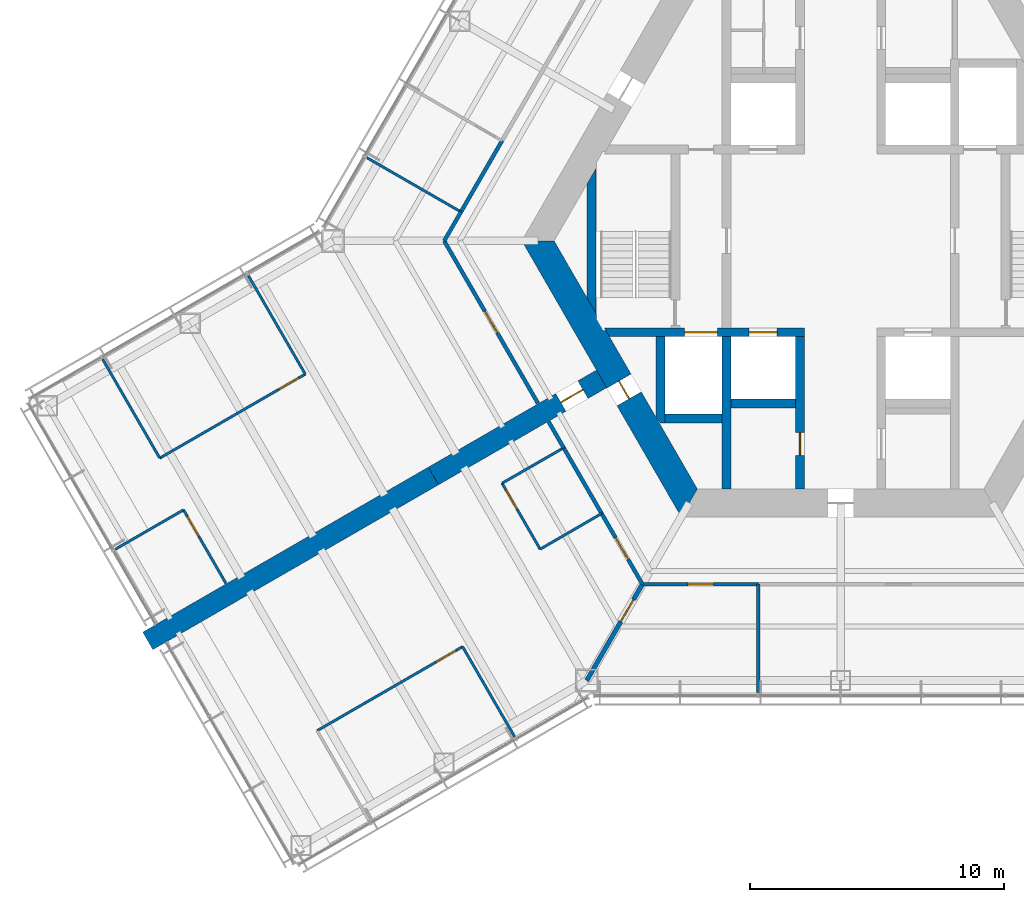
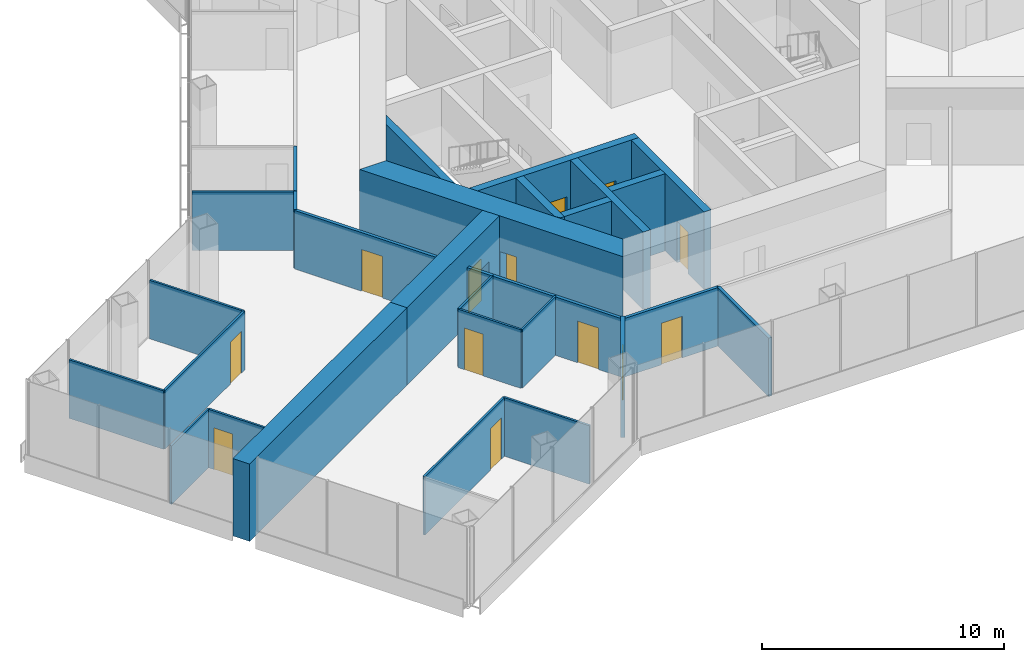
# One storey, part 12 of 18: 30 walls, 13 doors, 13 openings.
"""IFC4 building model written with IfcOpenShell, lengths in metres."""

from ifc_helpers import new_model, si_unit, direction, frame, frame_2d, origin, place, context, subcontext, project, spatial, polyline, rectangle, outline, extrude, material, layer, layer_set, type_object, element, fill, save


model = new_model("IFC4")

# Units and contexts
model_context = context("Model", 3, precision=1e-05, world=origin(), true_north=direction((0.0, 1.0)))
body_context = subcontext(model_context, "Body", "Model", "MODEL_VIEW")
ifc_project = project(units=[si_unit("LENGTHUNIT", "METRE"), si_unit("AREAUNIT", "SQUARE_METRE"), si_unit("VOLUMEUNIT", "CUBIC_METRE"), si_unit("PLANEANGLEUNIT", "RADIAN"), si_unit("MASSUNIT", "GRAM", prefix="KILO")], contexts=[model_context])

# Site, building, storey
site_placement = place(None, origin())
site = spatial("IfcSite", under=ifc_project, at=site_placement, CompositionType="ELEMENT")
building_placement = place(site_placement, origin())
building = spatial("IfcBuilding", under=site, at=building_placement, Name="Kasaneha Research Tower", CompositionType="ELEMENT")
storey_placement = place(building_placement, frame((0.0, 0.0, 76.800048828125)))
storey = spatial("IfcBuildingStorey", under=building, at=storey_placement, Name="L19", CompositionType="ELEMENT", Elevation=76.800048828125)

# Wall, openings, doors
ifc_material_1 = material(Name="Concrete Fc80", Category="concrete")
ifc_layer_1 = layer(ifc_material_1, 0.35009765625)
ifc_layer_set_1 = layer_set([ifc_layer_1], Name="Core internal wall 350 Fc80")
wall_type_1 = type_object("IfcWallType", Name="Core internal wall 350 Fc80", PredefinedType="SHEAR", material=ifc_layer_set_1)
wall_1_placement = place(storey_placement, frame((-9.208740234375, -3.60009765625, 0.0), z_axis=(0.0, 0.0, 1.0), x_axis=(1.0, 0.0, 0.0)))
wall_1 = element("IfcWall", 1, at=wall_1_placement, inside=storey, type_object=wall_type_1, Name="Core wall W2W L19", PredefinedType="SHEAR", context=body_context, shape_type="SweptSolid", body=[
    extrude(outline(polyline([(0.10107421875, -0.175048828125), (3.058837890625, -0.175048828125), (4.35888671875, -0.175048828125), (5.608642578125, -0.175048828125), (6.708740234375, -0.175048828125), (7.78369140625, -0.175048828125), (7.78369140625, 0.175048828125), (6.708740234375, 0.175048828125), (5.608642578125, 0.175048828125), (4.35888671875, 0.175048828125), (3.058837890625, 0.175048828125), (-0.10107421875, 0.175048828125), (0.10107421875, -0.175048828125)])), origin(), (0.0, 0.0, 1.0), 3.89990234375),
])
opening_1_placement = place(wall_1_placement, frame((5.608642578125, 0.0, 0.0)))
opening_1 = element("IfcOpeningElement", 2, at=opening_1_placement, cuts=wall_1, Name="Opening LD-LO2-L19", PredefinedType="OPENING", context=body_context, shape_type="SweptSolid", body=[
    extrude(rectangle(XDim=1.10009765625, YDim=2.10009765625, at=frame_2d((0.550048828125, 1.050048828125))), frame((0.0, 0.18505859375, 0.0), z_axis=(0.0, -1.0, 0.0), x_axis=(1.0, 0.0, 0.0)), (0.0, 0.0, 1.0), 0.3701171875),
])
opening_2_placement = place(wall_1_placement, frame((3.058837890625, 0.0, 0.0)))
opening_2 = element("IfcOpeningElement", 3, at=opening_2_placement, cuts=wall_1, Name="Opening LD-FL2-L19", PredefinedType="OPENING", context=body_context, shape_type="SweptSolid", body=[
    extrude(rectangle(XDim=1.300048828125, YDim=2.10009765625, at=frame_2d((0.64990234375, 1.050048828125))), frame((0.0, 0.18505859375, 0.0), z_axis=(0.0, -1.0, 0.0), x_axis=(1.0, 0.0, 0.0)), (0.0, 0.0, 1.0), 0.3701171875),
])
ifc_material_2 = material(Name="Steel", Category="steel")
door_type_1 = type_object("IfcDoorType", Name="Lift landing door 1100x2100", OperationType="DOUBLE_DOOR_SLIDING", PredefinedType="DOOR", material=ifc_material_2)
door_1_placement = place(opening_1_placement, origin())
door_1 = element("IfcDoor", 4, at=door_1_placement, inside=storey, type_object=door_type_1, Name="Landing door LO2 LD-LO2-L19", OperationType="DOUBLE_DOOR_SLIDING", OverallHeight=2.10009765625, OverallWidth=1.10009765625, PredefinedType="DOOR", context=body_context, shape_type="SweptSolid", body=[
    extrude(rectangle(XDim=1.10009765625, YDim=2.10009765625, at=frame_2d((0.550048828125, 1.050048828125))), frame((0.0, 0.02490234375, 0.0), z_axis=(0.0, -1.0, 0.0), x_axis=(1.0, 0.0, 0.0)), (0.0, 0.0, 1.0), 0.050048828125),
])
fill(opening_1, door_1)
ifc_material_3 = material(Name="Steel", Category="steel")
door_type_2 = type_object("IfcDoorType", Name="Lift landing door 1300x2100", OperationType="DOUBLE_DOOR_SLIDING", PredefinedType="DOOR", material=ifc_material_3)
door_2_placement = place(opening_2_placement, origin())
door_2 = element("IfcDoor", 5, at=door_2_placement, inside=storey, type_object=door_type_2, Name="Landing door FL2 LD-FL2-L19", OperationType="DOUBLE_DOOR_SLIDING", OverallHeight=2.10009765625, OverallWidth=1.300048828125, PredefinedType="DOOR", context=body_context, shape_type="SweptSolid", body=[
    extrude(rectangle(XDim=1.300048828125, YDim=2.10009765625, at=frame_2d((0.64990234375, 1.050048828125))), frame((0.0, 0.02490234375, 0.0), z_axis=(0.0, -1.0, 0.0), x_axis=(1.0, 0.0, 0.0)), (0.0, 0.0, 1.0), 0.050048828125),
])
fill(opening_2, door_2)

# Wall, opening, door
wall_2_placement = place(storey_placement, frame((-1.60009765625, -3.77490234375, 0.0), z_axis=(0.0, 0.0, 1.0), x_axis=(0.0, -1.0, 0.0)))
wall_2 = element("IfcWall", 6, at=wall_2_placement, inside=storey, type_object=wall_type_1, Name="Core wall CSW L19", PredefinedType="SHEAR", context=body_context, shape_type="SweptSolid", body=[
    extrude(rectangle(XDim=6.0, YDim=0.35009765625, at=frame_2d((3.0, 0.0))), origin(), (0.0, 0.0, 1.0), 3.89990234375),
])
opening_3_placement = place(wall_2_placement, frame((3.77490234375, 0.0, 0.0)))
opening_3 = element("IfcOpeningElement", 7, at=opening_3_placement, cuts=wall_2, Name="Opening L19-D16", PredefinedType="OPENING", context=body_context, shape_type="SweptSolid", body=[
    extrude(rectangle(XDim=0.89990234375, YDim=2.10009765625, at=frame_2d((0.449951171875, 1.050048828125))), frame((0.0, 0.18505859375, 0.0), z_axis=(0.0, -1.0, 0.0), x_axis=(1.0, 0.0, 0.0)), (0.0, 0.0, 1.0), 0.3701171875),
])
ifc_material_4 = material(Name="Steel", Category="steel")
door_type_3 = type_object("IfcDoorType", Name="Riser access door FD60 900x2100", OperationType="NOTDEFINED", PredefinedType="DOOR", material=ifc_material_4)
door_3_placement = place(opening_3_placement, origin())
door_3 = element("IfcDoor", 8, at=door_3_placement, inside=storey, type_object=door_type_3, Name="Electrical riser door L19-D16", OperationType="SINGLE_SWING_LEFT", OverallHeight=2.10009765625, OverallWidth=0.89990234375, PredefinedType="DOOR", context=body_context, shape_type="SweptSolid", body=[
    extrude(rectangle(XDim=0.89990234375, YDim=2.10009765625, at=frame_2d((0.449951171875, 1.050048828125))), frame((0.0, 0.02490234375, 0.0), z_axis=(0.0, -1.0, 0.0), x_axis=(1.0, 0.0, 0.0)), (0.0, 0.0, 1.0), 0.050048828125),
])
fill(opening_3, door_3)

# Walls
wall_3_placement = place(storey_placement, frame((-4.5, -3.77490234375, 0.0), z_axis=(0.0, 0.0, 1.0), x_axis=(0.0, -1.0, 0.0)))
element("IfcWall", 9, at=wall_3_placement, inside=storey, type_object=wall_type_1, Name="Core wall SSW L19", PredefinedType="SHEAR", context=body_context, shape_type="SweptSolid", body=[
    extrude(rectangle(XDim=6.0, YDim=0.35009765625, at=frame_2d((3.0, 0.0))), origin(), (0.0, 0.0, 1.0), 3.89990234375),
])
wall_4_placement = place(storey_placement, frame((-4.324951171875, -6.39990234375, 0.0), z_axis=(0.0, 0.0, 1.0), x_axis=(1.0, 0.0, 0.0)))
element("IfcWall", 10, at=wall_4_placement, inside=storey, type_object=wall_type_1, Name="Core wall S1S L19", PredefinedType="SHEAR", context=body_context, shape_type="SweptSolid", body=[
    extrude(rectangle(XDim=2.550048828125, YDim=0.35009765625, at=frame_2d((1.27490234375, 0.0))), origin(), (0.0, 0.0, 1.0), 3.89990234375),
])
wall_5_placement = place(storey_placement, frame((-6.925048828125, -7.0, 0.0), z_axis=(0.0, 0.0, 1.0), x_axis=(1.0, 0.0, 0.0)))
element("IfcWall", 11, at=wall_5_placement, inside=storey, type_object=wall_type_1, Name="Core wall F2S L19", PredefinedType="SHEAR", context=body_context, shape_type="SweptSolid", body=[
    extrude(rectangle(XDim=2.25, YDim=0.35009765625, at=frame_2d((1.125, 0.0))), origin(), (0.0, 0.0, 1.0), 3.89990234375),
])
wall_6_placement = place(storey_placement, frame((-7.10009765625, -3.77490234375, 0.0), z_axis=(0.0, 0.0, 1.0), x_axis=(0.0, -1.0, 0.0)))
element("IfcWall", 12, at=wall_6_placement, inside=storey, type_object=wall_type_1, Name="Core wall F2W L19", PredefinedType="SHEAR", context=body_context, shape_type="SweptSolid", body=[
    extrude(outline(polyline([(0.0, -0.175048828125), (3.174560546875, -0.175048828125), (3.400146484375, 0.0), (3.400146484375, 0.175048828125), (0.0, 0.175048828125), (0.0, -0.175048828125)])), origin(), (0.0, 0.0, 1.0), 3.89990234375),
])
wall_7_placement = place(storey_placement, frame((-9.807861328125, -2.562255859375, 0.0), z_axis=(0.0, 0.0, 1.0), x_axis=(0.0, 1.0, 0.0)))
element("IfcWall", 13, at=wall_7_placement, inside=storey, type_object=wall_type_1, Name="Core wall STW L19", PredefinedType="SHEAR", context=body_context, shape_type="SweptSolid", body=[
    extrude(outline(polyline([(-0.30322265625, -0.175048828125), (5.427734375, -0.175048828125), (4.8212890625, 0.175048828125), (0.30322265625, 0.175048828125), (-0.30322265625, -0.175048828125)])), origin(), (0.0, 0.0, 1.0), 3.89990234375),
])

# Wall, opening, door
ifc_material_5 = material(Name="Concrete Fc80", Category="concrete")
ifc_layer_2 = layer(ifc_material_5, 1.10009765625)
ifc_layer_set_2 = layer_set([ifc_layer_2], Name="Core wall 1100 Fc80")
wall_type_2 = type_object("IfcWallType", Name="Core wall 1100 Fc80", PredefinedType="SHEAR", material=ifc_layer_set_2)
wall_8_placement = place(storey_placement, frame((-11.92236328125, 0.0, 0.0), z_axis=(0.0, 0.0, 1.0), x_axis=(0.500004296715, -0.866022923061, 0.0)))
wall_8 = element("IfcWall", 14, at=wall_8_placement, inside=storey, type_object=wall_type_2, Name="Core wall 210 L19", PredefinedType="SHEAR", context=body_context, shape_type="SweptSolid", body=[
    extrude(outline(polyline([(-0.317626953125, -0.550048828125), (6.381103515625, -0.550048828125), (7.18115234375, -0.550048828125), (12.239990234375, -0.550048828125), (11.604736328125, 0.550048828125), (7.18115234375, 0.550048828125), (6.381103515625, 0.550048828125), (0.317626953125, 0.550048828125), (-0.317626953125, -0.550048828125)])), origin(), (0.0, 0.0, 1.0), 3.89990234375),
])
opening_4_placement = place(wall_8_placement, frame((6.381103515625, 0.0, 0.0)))
opening_4 = element("IfcOpeningElement", 15, at=opening_4_placement, cuts=wall_8, Name="Opening L19-D06", PredefinedType="OPENING", context=body_context, shape_type="SweptSolid", body=[
    extrude(rectangle(XDim=0.800048828125, YDim=2.10009765625, at=frame_2d((0.39990234375, 1.050048828125))), frame((0.0, 0.56005859375, 0.0), z_axis=(0.0, -1.0, 0.0), x_axis=(1.0, 0.0, 0.0)), (0.0, 0.0, 1.0), 1.1201171875),
])
ifc_material_6 = material(Name="Steel", Category="steel")
door_type_4 = type_object("IfcDoorType", Name="Riser access door FD60 800x2100", OperationType="NOTDEFINED", PredefinedType="DOOR", material=ifc_material_6)
door_4_placement = place(opening_4_placement, origin())
door_4 = element("IfcDoor", 16, at=door_4_placement, inside=storey, type_object=door_type_4, Name="Duct riser door L19-D06", OperationType="SINGLE_SWING_RIGHT", OverallHeight=2.10009765625, OverallWidth=0.800048828125, PredefinedType="DOOR", context=body_context, shape_type="SweptSolid", body=[
    extrude(rectangle(XDim=0.800048828125, YDim=2.10009765625, at=frame_2d((0.39990234375, 1.050048828125))), frame((0.0, 0.02490234375, 0.0), z_axis=(0.0, -1.0, 0.0), x_axis=(1.0, 0.0, 0.0)), (0.0, 0.0, 1.0), 0.050048828125),
])
fill(opening_4, door_4)

# Walls
ifc_material_7 = material(Name="Gypsum board on steel studs, one layer each side", Category="steel")
ifc_layer_3 = layer(ifc_material_7, 0.10009765625)
ifc_layer_set_3 = layer_set([ifc_layer_3], Name="Office partition 100")
wall_type_3 = type_object("IfcWallType", Name="Office partition 100", PredefinedType="PARTITIONING", material=ifc_layer_set_3)
wall_9_placement = place(storey_placement, frame((-14.957275390625, 1.143310546875, 0.0), z_axis=(0.0, 0.0, 1.0), x_axis=(-0.86652666665, 0.499130780441, 0.0)))
element("IfcWall", 17, at=wall_9_placement, inside=storey, type_object=wall_type_3, Name="Office partition FBN06 L19", PredefinedType="PARTITIONING", context=body_context, shape_type="SweptSolid", body=[
    extrude(rectangle(XDim=4.275390625, YDim=0.10009765625, at=frame_2d((2.1376953125, 0.0))), origin(), (0.0, 0.0, 1.0), 2.949951171875),
])
wall_10_placement = place(storey_placement, frame((-26.824951171875, -8.55908203125, 0.0), z_axis=(0.0, 0.0, 1.0), x_axis=(-0.500013631625, 0.866017533419, 0.0)))
element("IfcWall", 18, at=wall_10_placement, inside=storey, type_object=wall_type_3, Name="Office partition FBN08 L19", PredefinedType="PARTITIONING", context=body_context, shape_type="SweptSolid", body=[
    extrude(rectangle(XDim=4.499755859375, YDim=0.10009765625, at=frame_2d((2.25, 0.0))), origin(), (0.0, 0.0, 1.0), 2.949951171875),
])
wall_11_placement = place(storey_placement, frame((-23.332275390625, -1.36962890625, 0.0), z_axis=(0.0, 0.0, 1.0), x_axis=(0.499989762656, -0.866031314237, 0.0)))
element("IfcWall", 19, at=wall_11_placement, inside=storey, type_object=wall_type_3, Name="Office partition FBN09 L19", PredefinedType="PARTITIONING", context=body_context, shape_type="SweptSolid", body=[
    extrude(rectangle(XDim=4.47998046875, YDim=0.10009765625, at=frame_2d((2.239990234375, 0.0))), origin(), (0.0, 0.0, 1.0), 2.949951171875),
])

# Wall, opening, door
wall_12_placement = place(storey_placement, frame((-21.09228515625, -5.24951171875, 0.0), z_axis=(0.0, 0.0, 1.0), x_axis=(-0.866037567856, -0.499978930619, 0.0)))
wall_12 = element("IfcWall", 20, at=wall_12_placement, inside=storey, type_object=wall_type_3, Name="Office partition FBN10 L19", PredefinedType="PARTITIONING", context=body_context, shape_type="SweptSolid", body=[
    extrude(rectangle(XDim=6.619384765625, YDim=0.10009765625, at=frame_2d((3.3095703125, 0.0))), origin(), (0.0, 0.0, 1.0), 2.949951171875),
])
opening_5_placement = place(wall_12_placement, frame((0.300048828125, 0.0, 0.0)))
opening_5 = element("IfcOpeningElement", 21, at=opening_5_placement, cuts=wall_12, Name="Opening L19-D38", PredefinedType="OPENING", context=body_context, shape_type="SweptSolid", body=[
    extrude(rectangle(XDim=0.89990234375, YDim=2.10009765625, at=frame_2d((0.449951171875, 1.050048828125))), frame((0.0, 0.06005859375, 0.0), z_axis=(0.0, -1.0, 0.0), x_axis=(1.0, 0.0, 0.0)), (0.0, 0.0, 1.0), 0.1201171875),
])
ifc_material_8 = material(Name="Timber veneer", Category="wood")
door_type_5 = type_object("IfcDoorType", Name="Office door 900x2100", OperationType="SINGLE_SWING_LEFT", PredefinedType="DOOR", material=ifc_material_8)
door_5_placement = place(opening_5_placement, origin())
door_5 = element("IfcDoor", 22, at=door_5_placement, inside=storey, type_object=door_type_5, Name="Meeting room door L19-D38", OperationType="SINGLE_SWING_LEFT", OverallHeight=2.10009765625, OverallWidth=0.89990234375, PredefinedType="DOOR", context=body_context, shape_type="SweptSolid", body=[
    extrude(rectangle(XDim=0.89990234375, YDim=2.10009765625, at=frame_2d((0.449951171875, 1.050048828125))), frame((0.0, 0.02490234375, 0.0), z_axis=(0.0, -1.0, 0.0), x_axis=(1.0, 0.0, 0.0)), (0.0, 0.0, 1.0), 0.050048828125),
])
fill(opening_5, door_5)

# Wall
wall_13_placement = place(storey_placement, frame((-28.57470703125, -12.148193359375, 0.0), z_axis=(0.0, 0.0, 1.0), x_axis=(0.86602952684, 0.49999285859, 0.0)))
element("IfcWall", 23, at=wall_13_placement, inside=storey, type_object=wall_type_3, Name="Office partition FBN12 L19", PredefinedType="PARTITIONING", context=body_context, shape_type="SweptSolid", body=[
    extrude(rectangle(XDim=3.10009765625, YDim=0.10009765625, at=frame_2d((1.550048828125, 0.0))), origin(), (0.0, 0.0, 1.0), 2.949951171875),
])

# Wall, opening, door
wall_14_placement = place(storey_placement, frame((-25.889892578125, -10.59814453125, 0.0), z_axis=(0.0, 0.0, 1.0), x_axis=(0.499928740635, -0.866066541489, 0.0)))
wall_14 = element("IfcWall", 24, at=wall_14_placement, inside=storey, type_object=wall_type_3, Name="Office partition FBN13 L19", PredefinedType="PARTITIONING", context=body_context, shape_type="SweptSolid", body=[
    extrude(rectangle(XDim=3.3466796875, YDim=0.10009765625, at=frame_2d((1.67333984375, 0.0))), origin(), (0.0, 0.0, 1.0), 2.949951171875),
])
opening_6_placement = place(wall_14_placement, frame((0.300048828125, 0.0, 0.0)))
opening_6 = element("IfcOpeningElement", 25, at=opening_6_placement, cuts=wall_14, Name="Opening L19-D40", PredefinedType="OPENING", context=body_context, shape_type="SweptSolid", body=[
    extrude(rectangle(XDim=0.89990234375, YDim=2.10009765625, at=frame_2d((0.449951171875, 1.050048828125))), frame((0.0, 0.06005859375, 0.0), z_axis=(0.0, -1.0, 0.0), x_axis=(1.0, 0.0, 0.0)), (0.0, 0.0, 1.0), 0.1201171875),
])
door_6_placement = place(opening_6_placement, origin())
door_6 = element("IfcDoor", 26, at=door_6_placement, inside=storey, type_object=door_type_5, Name="Phone room door L19-D40", OperationType="SINGLE_SWING_LEFT", OverallHeight=2.10009765625, OverallWidth=0.89990234375, PredefinedType="DOOR", context=body_context, shape_type="SweptSolid", body=[
    extrude(rectangle(XDim=0.89990234375, YDim=2.10009765625, at=frame_2d((0.449951171875, 1.050048828125))), frame((0.0, 0.02490234375, 0.0), z_axis=(0.0, -1.0, 0.0), x_axis=(1.0, 0.0, 0.0)), (0.0, 0.0, 1.0), 0.050048828125),
])
fill(opening_6, door_6)

# Wall
wall_15_placement = place(storey_placement, frame((-13.337890625, -9.548095703125, 0.0), z_axis=(0.0, 0.0, 1.0), x_axis=(0.866833758708, 0.498597267105, 0.0)))
element("IfcWall", 27, at=wall_15_placement, inside=storey, type_object=wall_type_3, Name="Office partition FBS04 L19", PredefinedType="PARTITIONING", context=body_context, shape_type="SweptSolid", body=[
    extrude(rectangle(XDim=2.7998046875, YDim=0.10009765625, at=frame_2d((1.39990234375, 0.0))), origin(), (0.0, 0.0, 1.0), 2.949951171875),
])

# Wall, opening, door
wall_16_placement = place(storey_placement, frame((-11.837890625, -12.146240234375, 0.0), z_axis=(0.0, 0.0, 1.0), x_axis=(-0.499990139034, 0.866031096941, 0.0)))
wall_16 = element("IfcWall", 28, at=wall_16_placement, inside=storey, type_object=wall_type_3, Name="Office partition FBS05 L19", PredefinedType="PARTITIONING", context=body_context, shape_type="SweptSolid", body=[
    extrude(rectangle(XDim=3.0, YDim=0.10009765625, at=frame_2d((1.5, 0.0))), origin(), (0.0, 0.0, 1.0), 2.949951171875),
])
opening_7_placement = place(wall_16_placement, frame((1.800048828125, 0.0, 0.0)))
opening_7 = element("IfcOpeningElement", 29, at=opening_7_placement, cuts=wall_16, Name="Opening L19-D42", PredefinedType="OPENING", context=body_context, shape_type="SweptSolid", body=[
    extrude(rectangle(XDim=0.89990234375, YDim=2.10009765625, at=frame_2d((0.449951171875, 1.050048828125))), frame((0.0, 0.06005859375, 0.0), z_axis=(0.0, -1.0, 0.0), x_axis=(1.0, 0.0, 0.0)), (0.0, 0.0, 1.0), 0.1201171875),
])
door_7_placement = place(opening_7_placement, origin())
door_7 = element("IfcDoor", 30, at=door_7_placement, inside=storey, type_object=door_type_5, Name="Pantry door L19-D42", OperationType="SINGLE_SWING_RIGHT", OverallHeight=2.10009765625, OverallWidth=0.89990234375, PredefinedType="DOOR", context=body_context, shape_type="SweptSolid", body=[
    extrude(rectangle(XDim=0.89990234375, YDim=2.10009765625, at=frame_2d((0.449951171875, 1.050048828125))), frame((0.0, 0.02490234375, 0.0), z_axis=(0.0, -1.0, 0.0), x_axis=(1.0, 0.0, 0.0)), (0.0, 0.0, 1.0), 0.050048828125),
])
fill(opening_7, door_7)

# Wall
wall_17_placement = place(storey_placement, frame((-9.415283203125, -10.7421875, 0.0), z_axis=(0.0, 0.0, 1.0), x_axis=(-0.865195372903, -0.501434907746, 0.0)))
element("IfcWall", 31, at=wall_17_placement, inside=storey, type_object=wall_type_3, Name="Office partition FBS06 L19", PredefinedType="PARTITIONING", context=body_context, shape_type="SweptSolid", body=[
    extrude(rectangle(XDim=2.800048828125, YDim=0.10009765625, at=frame_2d((1.39990234375, 0.0))), origin(), (0.0, 0.0, 1.0), 2.949951171875),
])

# Wall, opening, door
wall_18_placement = place(storey_placement, frame((-20.625, -19.2978515625, 0.0), z_axis=(0.0, 0.0, 1.0), x_axis=(0.866030817826, 0.499990622488, 0.0)))
wall_18 = element("IfcWall", 32, at=wall_18_placement, inside=storey, type_object=wall_type_3, Name="Office partition FBS07 L19", PredefinedType="PARTITIONING", context=body_context, shape_type="SweptSolid", body=[
    extrude(rectangle(XDim=6.619873046875, YDim=0.10009765625, at=frame_2d((3.31005859375, 0.0))), origin(), (0.0, 0.0, 1.0), 2.949951171875),
])
opening_8_placement = place(wall_18_placement, frame((5.419677734375, 0.0, 0.0)))
opening_8 = element("IfcOpeningElement", 33, at=opening_8_placement, cuts=wall_18, Name="Opening L19-D43", PredefinedType="OPENING", context=body_context, shape_type="SweptSolid", body=[
    extrude(rectangle(XDim=0.89990234375, YDim=2.10009765625, at=frame_2d((0.449951171875, 1.050048828125))), frame((0.0, 0.06005859375, 0.0), z_axis=(0.0, -1.0, 0.0), x_axis=(1.0, 0.0, 0.0)), (0.0, 0.0, 1.0), 0.1201171875),
])
door_8_placement = place(opening_8_placement, origin())
door_8 = element("IfcDoor", 34, at=door_8_placement, inside=storey, type_object=door_type_5, Name="Meeting room door L19-D43", OperationType="SINGLE_SWING_RIGHT", OverallHeight=2.10009765625, OverallWidth=0.89990234375, PredefinedType="DOOR", context=body_context, shape_type="SweptSolid", body=[
    extrude(rectangle(XDim=0.89990234375, YDim=2.10009765625, at=frame_2d((0.449951171875, 1.050048828125))), frame((0.0, 0.02490234375, 0.0), z_axis=(0.0, -1.0, 0.0), x_axis=(1.0, 0.0, 0.0)), (0.0, 0.0, 1.0), 0.050048828125),
])
fill(opening_8, door_8)

# Wall
wall_19_placement = place(storey_placement, frame((-14.89208984375, -15.988037109375, 0.0), z_axis=(0.0, 0.0, 1.0), x_axis=(0.499956128963, -0.866050731258, 0.0)))
element("IfcWall", 35, at=wall_19_placement, inside=storey, type_object=wall_type_3, Name="Office partition FBS09 L19", PredefinedType="PARTITIONING", context=body_context, shape_type="SweptSolid", body=[
    extrude(rectangle(XDim=4.099853515625, YDim=0.10009765625, at=frame_2d((2.0498046875, 0.0))), origin(), (0.0, 0.0, 1.0), 2.949951171875),
])

# Wall, opening, door
ifc_material_9 = material(Name="Concrete Fc80", Category="concrete")
ifc_layer_4 = layer(ifc_material_9, 0.800048828125)
ifc_layer_set_4 = layer_set([ifc_layer_4], Name="Spine wall 800 Fc80")
wall_type_4 = type_object("IfcWallType", Name="Spine wall 800 Fc80", PredefinedType="SHEAR", material=ifc_layer_set_4)
wall_20_placement = place(storey_placement, frame((-9.41796875, -5.4375, 0.0), z_axis=(0.0, 0.0, 1.0), x_axis=(-0.866029782078, -0.499992416496, 0.0)))
wall_20 = element("IfcWall", 36, at=wall_20_placement, inside=storey, type_object=wall_type_4, Name="Spine wall B L19", PredefinedType="SHEAR", context=body_context, shape_type="SweptSolid", body=[
    extrude(rectangle(XDim=7.6455078125, YDim=0.800048828125, at=frame_2d((3.82275390625, 0.0))), origin(), (0.0, 0.0, 1.0), 3.89990234375),
])
opening_9_placement = place(wall_20_placement, frame((0.85009765625, 0.0, 0.0)))
opening_9 = element("IfcOpeningElement", 37, at=opening_9_placement, cuts=wall_20, Name="Opening L19-D18", PredefinedType="OPENING", context=body_context, shape_type="SweptSolid", body=[
    extrude(rectangle(XDim=1.0, YDim=2.10009765625, at=frame_2d((0.5, 1.050048828125))), frame((0.0, 0.41015625, 0.0), z_axis=(0.0, -1.0, 0.0), x_axis=(1.0, 0.0, 0.0)), (0.0, 0.0, 1.0), 0.820068359375),
])
ifc_material_10 = material(Name="Steel", Category="steel")
door_type_6 = type_object("IfcDoorType", Name="Specified fire door FD60 1000x2100", OperationType="NOTDEFINED", PredefinedType="DOOR", material=ifc_material_10)
door_9_placement = place(opening_9_placement, origin())
door_9 = element("IfcDoor", 38, at=door_9_placement, inside=storey, type_object=door_type_6, Name="Spine doorway B L19-D18", OperationType="SINGLE_SWING_LEFT", OverallHeight=2.10009765625, OverallWidth=1.0, PredefinedType="DOOR", context=body_context, shape_type="SweptSolid", body=[
    extrude(rectangle(XDim=1.0, YDim=2.10009765625, at=frame_2d((0.5, 1.050048828125))), frame((0.0, 0.02490234375, 0.0), z_axis=(0.0, -1.0, 0.0), x_axis=(1.0, 0.0, 0.0)), (0.0, 0.0, 1.0), 0.050048828125),
])
fill(opening_9, door_9)

# Walls
wall_21_placement = place(storey_placement, frame((-16.039306640625, -9.26025390625, 0.0), z_axis=(0.0, 0.0, 1.0), x_axis=(-0.866024837091, -0.50000098154, 0.0)))
element("IfcWall", 39, at=wall_21_placement, inside=storey, type_object=wall_type_4, Name="Spine wall B wing L19", PredefinedType="SHEAR", context=body_context, shape_type="SweptSolid", body=[
    extrude(rectangle(XDim=13.0, YDim=0.800048828125, at=frame_2d((6.5, 0.0))), origin(), (0.0, 0.0, 1.0), 3.89990234375),
])
ifc_material_11 = material(Name="Gypsum board on steel studs, two layers each side", Category="steel")
ifc_layer_5 = layer(ifc_material_11, 0.14990234375)
ifc_layer_set_5 = layer_set([ifc_layer_5], Name="Suite partition 150")
wall_type_5 = type_object("IfcWallType", Name="Suite partition 150", PredefinedType="PARTITIONING", material=ifc_layer_set_5)
wall_22_placement = place(storey_placement, frame((-14.9619140625, 1.13525390625, 0.0), z_axis=(0.0, 0.0, 1.0), x_axis=(0.500001520505, 0.866024525919, 0.0)))
element("IfcWall", 40, at=wall_22_placement, inside=storey, type_object=wall_type_5, Name="Suite partition FBN01 L19", PredefinedType="PARTITIONING", context=body_context, shape_type="SweptSolid", body=[
    extrude(rectangle(XDim=3.25634765625, YDim=0.14990234375, at=frame_2d((1.628173828125, 0.0))), origin(), (0.0, 0.0, 1.0), 2.949951171875),
])
wall_23_placement = place(storey_placement, frame((-15.6171875, 0.0, 0.0), z_axis=(0.0, 0.0, 1.0), x_axis=(0.499898558967, 0.866083962871, 0.0)))
element("IfcWall", 41, at=wall_23_placement, inside=storey, type_object=wall_type_5, Name="Suite partition FBN03 L19", PredefinedType="PARTITIONING", context=body_context, shape_type="SweptSolid", body=[
    extrude(rectangle(XDim=1.320068359375, YDim=0.14990234375, at=frame_2d((0.66015625, 0.0))), origin(), (0.0, 0.0, 1.0), 2.949951171875),
])

# Wall, opening, door
wall_24_placement = place(storey_placement, frame((-11.923095703125, -6.398681640625, 0.0), z_axis=(0.0, 0.0, 1.0), x_axis=(-0.499980837837, 0.866036466782, 0.0)))
wall_24 = element("IfcWall", 42, at=wall_24_placement, inside=storey, type_object=wall_type_5, Name="Suite partition FBN04 L19", PredefinedType="PARTITIONING", context=body_context, shape_type="SweptSolid", body=[
    extrude(rectangle(XDim=7.388427734375, YDim=0.14990234375, at=frame_2d((3.6943359375, 0.0))), origin(), (0.0, 0.0, 1.0), 2.949951171875),
])
opening_10_placement = place(wall_24_placement, frame((3.1943359375, 0.0, 0.0)))
opening_10 = element("IfcOpeningElement", 43, at=opening_10_placement, cuts=wall_24, Name="Opening L19-D35", PredefinedType="OPENING", context=body_context, shape_type="SweptSolid", body=[
    extrude(rectangle(XDim=1.0, YDim=2.10009765625, at=frame_2d((0.5, 1.050048828125))), frame((0.0, 0.0849609375, 0.0), z_axis=(0.0, -1.0, 0.0), x_axis=(1.0, 0.0, 0.0)), (0.0, 0.0, 1.0), 0.169921875),
])
ifc_material_12 = material(Name="Steel", Category="steel")
door_type_7 = type_object("IfcDoorType", Name="Suite entrance door FD60 1000x2100", OperationType="NOTDEFINED", PredefinedType="DOOR", material=ifc_material_12)
door_10_placement = place(opening_10_placement, origin())
door_10 = element("IfcDoor", 44, at=door_10_placement, inside=storey, type_object=door_type_7, Name="Suite entrance door L19-D35", OperationType="SINGLE_SWING_RIGHT", OverallHeight=2.10009765625, OverallWidth=1.0, PredefinedType="DOOR", context=body_context, shape_type="SweptSolid", body=[
    extrude(rectangle(XDim=1.0, YDim=2.10009765625, at=frame_2d((0.5, 1.050048828125))), frame((0.0, 0.02490234375, 0.0), z_axis=(0.0, -1.0, 0.0), x_axis=(1.0, 0.0, 0.0)), (0.0, 0.0, 1.0), 0.050048828125),
])
fill(opening_10, door_10)

# Walls
wall_25_placement = place(storey_placement, frame((-9.410400390625, -10.75048828125, 0.0), z_axis=(0.0, 0.0, 1.0), x_axis=(-0.500038395149, 0.8660032352, 0.0)))
element("IfcWall", 45, at=wall_25_placement, inside=storey, type_object=wall_type_5, Name="Suite partition FBS01 L19", PredefinedType="PARTITIONING", context=body_context, shape_type="SweptSolid", body=[
    extrude(rectangle(XDim=3.010009765625, YDim=0.14990234375, at=frame_2d((1.5048828125, 0.0))), origin(), (0.0, 0.0, 1.0), 2.949951171875),
])
wall_26_placement = place(storey_placement, frame((-10.910888671875, -8.152099609375, 0.0), z_axis=(0.0, 0.0, 1.0), x_axis=(-0.499841408252, 0.866116947413, 0.0)))
element("IfcWall", 46, at=wall_26_placement, inside=storey, type_object=wall_type_5, Name="Suite partition FBS02 L19", PredefinedType="PARTITIONING", context=body_context, shape_type="SweptSolid", body=[
    extrude(rectangle(XDim=1.1845703125, YDim=0.14990234375, at=frame_2d((0.59228515625, 0.0))), origin(), (0.0, 0.0, 1.0), 2.949951171875),
])

# Wall, opening, door
wall_27_placement = place(storey_placement, frame((-7.8203125, -13.5048828125, 0.0), z_axis=(0.0, 0.0, 1.0), x_axis=(-0.499983030129, 0.866035201123, 0.0)))
wall_27 = element("IfcWall", 47, at=wall_27_placement, inside=storey, type_object=wall_type_5, Name="Suite partition FBS03 L19", PredefinedType="PARTITIONING", context=body_context, shape_type="SweptSolid", body=[
    extrude(rectangle(XDim=3.18994140625, YDim=0.14990234375, at=frame_2d((1.594970703125, 0.0))), origin(), (0.0, 0.0, 1.0), 2.949951171875),
])
opening_11_placement = place(wall_27_placement, frame((1.094970703125, 0.0, 0.0)))
opening_11 = element("IfcOpeningElement", 48, at=opening_11_placement, cuts=wall_27, Name="Opening L19-D41", PredefinedType="OPENING", context=body_context, shape_type="SweptSolid", body=[
    extrude(rectangle(XDim=1.0, YDim=2.10009765625, at=frame_2d((0.5, 1.050048828125))), frame((0.0, 0.0849609375, 0.0), z_axis=(0.0, -1.0, 0.0), x_axis=(1.0, 0.0, 0.0)), (0.0, 0.0, 1.0), 0.169921875),
])
door_11_placement = place(opening_11_placement, origin())
door_11 = element("IfcDoor", 49, at=door_11_placement, inside=storey, type_object=door_type_7, Name="Suite entrance door L19-D41", OperationType="SINGLE_SWING_RIGHT", OverallHeight=2.10009765625, OverallWidth=1.0, PredefinedType="DOOR", context=body_context, shape_type="SweptSolid", body=[
    extrude(rectangle(XDim=1.0, YDim=2.10009765625, at=frame_2d((0.5, 1.050048828125))), frame((0.0, 0.02490234375, 0.0), z_axis=(0.0, -1.0, 0.0), x_axis=(1.0, 0.0, 0.0)), (0.0, 0.0, 1.0), 0.050048828125),
])
fill(opening_11, door_11)

wall_28_placement = place(storey_placement, frame((-3.241455078125, -13.52490234375, 0.0), z_axis=(0.0, 0.0, 1.0), x_axis=(-1.0, 0.0, 0.0)))
wall_28 = element("IfcWall", 50, at=wall_28_placement, inside=storey, type_object=wall_type_5, Name="Suite partition FCS03 L19", PredefinedType="PARTITIONING", context=body_context, shape_type="SweptSolid", body=[
    extrude(rectangle(XDim=4.544189453125, YDim=0.14990234375, at=frame_2d((2.27197265625, 0.0))), origin(), (0.0, 0.0, 1.0), 2.949951171875),
])
opening_12_placement = place(wall_28_placement, frame((1.772216796875, 0.0, 0.0)))
opening_12 = element("IfcOpeningElement", 51, at=opening_12_placement, cuts=wall_28, Name="Opening L19-D47", PredefinedType="OPENING", context=body_context, shape_type="SweptSolid", body=[
    extrude(rectangle(XDim=1.0, YDim=2.10009765625, at=frame_2d((0.5, 1.050048828125))), frame((0.0, 0.0849609375, 0.0), z_axis=(0.0, -1.0, 0.0), x_axis=(1.0, 0.0, 0.0)), (0.0, 0.0, 1.0), 0.169921875),
])
door_12_placement = place(opening_12_placement, origin())
door_12 = element("IfcDoor", 52, at=door_12_placement, inside=storey, type_object=door_type_7, Name="Suite entrance door L19-D47", OperationType="SINGLE_SWING_LEFT", OverallHeight=2.10009765625, OverallWidth=1.0, PredefinedType="DOOR", context=body_context, shape_type="SweptSolid", body=[
    extrude(rectangle(XDim=1.0, YDim=2.10009765625, at=frame_2d((0.5, 1.050048828125))), frame((0.0, 0.02490234375, 0.0), z_axis=(0.0, -1.0, 0.0), x_axis=(1.0, 0.0, 0.0)), (0.0, 0.0, 1.0), 0.050048828125),
])
fill(opening_12, door_12)

# Wall
wall_29_placement = place(storey_placement, frame((-3.246337890625, -17.800537109375, 0.0), z_axis=(0.0, 0.0, 1.0), x_axis=(0.001142138482, 0.99999934776, 0.0)))
element("IfcWall", 53, at=wall_29_placement, inside=storey, type_object=wall_type_5, Name="Suite partition FCS07 L19", PredefinedType="PARTITIONING", context=body_context, shape_type="SweptSolid", body=[
    extrude(rectangle(XDim=4.275146484375, YDim=0.14990234375, at=frame_2d((2.1376953125, 0.0))), origin(), (0.0, 0.0, 1.0), 2.949951171875),
])

# Wall, opening, door
ifc_material_13 = material(Name="Gypsum board on steel studs, two layers each side", Category="steel")
ifc_layer_6 = layer(ifc_material_13, 0.175048828125)
ifc_layer_set_6 = layer_set([ifc_layer_6], Name="Tenancy fire partition 175")
wall_type_6 = type_object("IfcWallType", Name="Tenancy fire partition 175", PredefinedType="PARTITIONING", material=ifc_layer_set_6)
wall_30_placement = place(storey_placement, frame((-7.80859375, -13.52490234375, 0.0), z_axis=(0.0, 0.0, 1.0), x_axis=(-0.499997299682, -0.866026962808, 0.0)))
wall_30 = element("IfcWall", 54, at=wall_30_placement, inside=storey, type_object=wall_type_6, Name="Tenancy fire partition T240 L19", PredefinedType="PARTITIONING", context=body_context, shape_type="SweptSolid", body=[
    extrude(rectangle(XDim=4.3828125, YDim=0.175048828125, at=frame_2d((2.19140625, 0.0))), origin(), (0.0, 0.0, 1.0), 3.050048828125),
])
opening_13_placement = place(wall_30_placement, frame((0.699951171875, 0.0, 0.0)))
opening_13 = element("IfcOpeningElement", 55, at=opening_13_placement, cuts=wall_30, Name="Opening L19-D24", PredefinedType="OPENING", context=body_context, shape_type="SweptSolid", body=[
    extrude(rectangle(XDim=1.0, YDim=2.10009765625, at=frame_2d((0.5, 1.050048828125))), frame((0.0, 0.09765625, 0.0), z_axis=(0.0, -1.0, 0.0), x_axis=(1.0, 0.0, 0.0)), (0.0, 0.0, 1.0), 0.195068359375),
])
door_13_placement = place(opening_13_placement, origin())
door_13 = element("IfcDoor", 56, at=door_13_placement, inside=storey, type_object=door_type_7, Name="Connecting door L19-D24", OperationType="SINGLE_SWING_LEFT", OverallHeight=2.10009765625, OverallWidth=1.0, PredefinedType="DOOR", context=body_context, shape_type="SweptSolid", body=[
    extrude(rectangle(XDim=1.0, YDim=2.10009765625, at=frame_2d((0.5, 1.050048828125))), frame((0.0, 0.02490234375, 0.0), z_axis=(0.0, -1.0, 0.0), x_axis=(1.0, 0.0, 0.0)), (0.0, 0.0, 1.0), 0.050048828125),
])
fill(opening_13, door_13)

save(model, "model.ifc")
